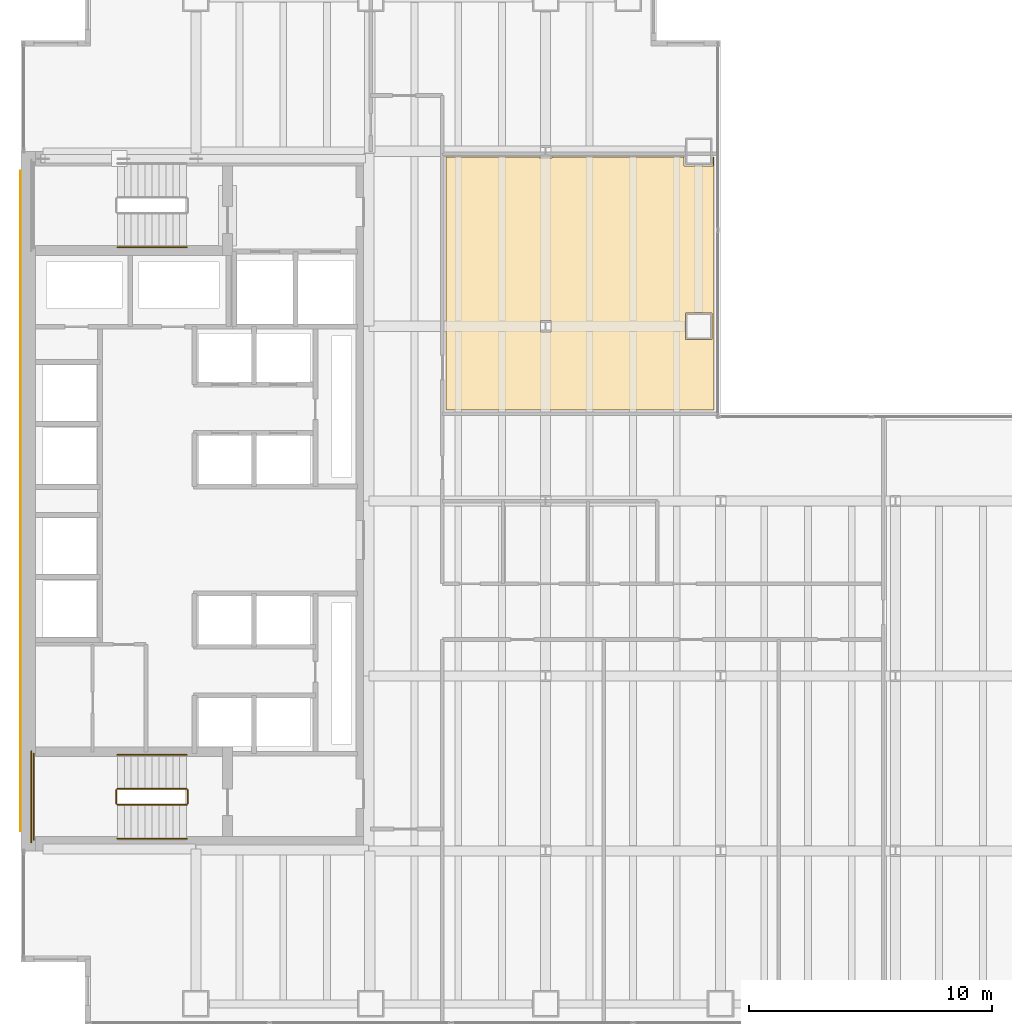
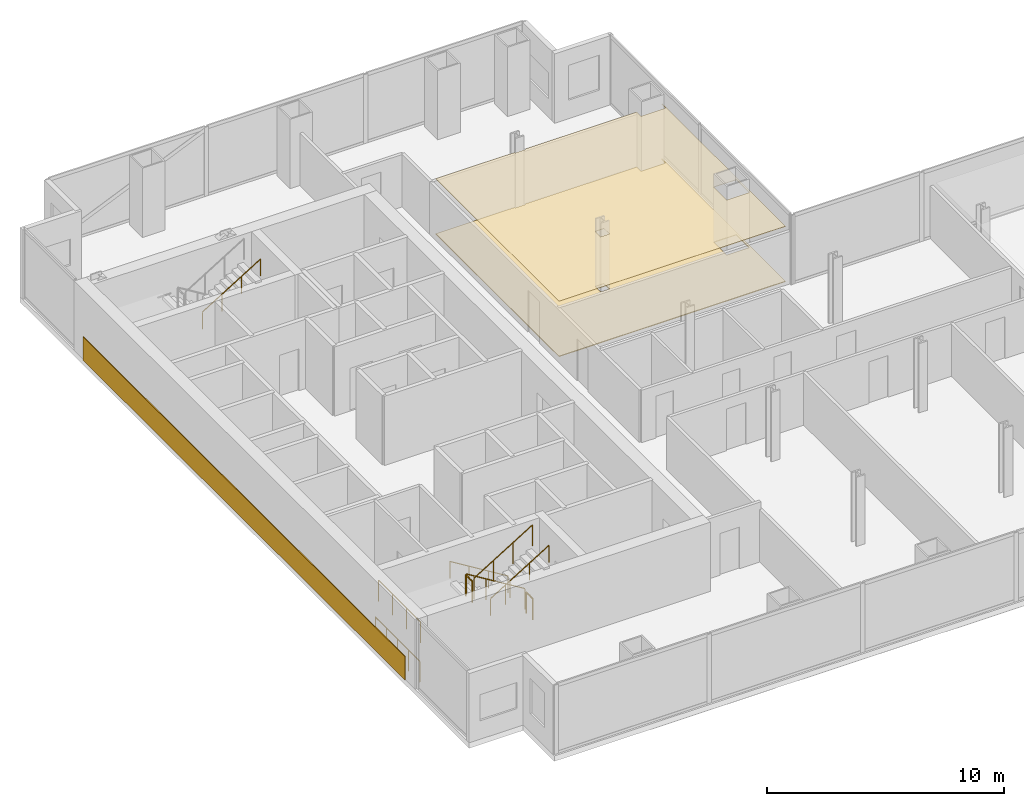
# One storey, part 23 of 25: 9 railings, 3 coverings.
"""IFC4 building model written with IfcOpenShell, lengths in metres."""

from ifc_helpers import new_model, si_unit, direction, frame, origin, origin_2d, place, context, subcontext, project, spatial, polyline, circle, outline, extrude, material, layer, layer_set, type_object, element, save


model = new_model("IFC4")

# Units and contexts
model_context = context("Model", 3, precision=1e-05, world=origin(), true_north=direction((0.0, 1.0)))
body_context = subcontext(model_context, "Body", "Model", "MODEL_VIEW")
ifc_project = project(units=[si_unit("LENGTHUNIT", "METRE"), si_unit("AREAUNIT", "SQUARE_METRE"), si_unit("VOLUMEUNIT", "CUBIC_METRE"), si_unit("PLANEANGLEUNIT", "RADIAN"), si_unit("MASSUNIT", "GRAM", prefix="KILO")], contexts=[model_context])

# Site, building, storey
site_placement = place(None, origin())
site = spatial("IfcSite", under=ifc_project, at=site_placement, CompositionType="ELEMENT")
building_placement = place(site_placement, origin())
building = spatial("IfcBuilding", under=site, at=building_placement, Name="Cobrela Telecom Tower", CompositionType="ELEMENT")
storey_placement = place(building_placement, frame((0.0, 0.0, 42.699951171875)))
storey = spatial("IfcBuildingStorey", under=building, at=storey_placement, Name="L10", CompositionType="ELEMENT", Elevation=42.699951171875)

# Coverings
ifc_material_1 = material(Name="Mineral Fibre Acoustic Ceiling Tile")
ifc_layer_1 = layer(ifc_material_1, 0.02490234375)
ifc_layer_set_1 = layer_set([ifc_layer_1], Name="Mineral Fibre Acoustic Ceiling Tile")
covering_type_1 = type_object("IfcCoveringType", Name="COV-CEIL-ACT", PredefinedType="CEILING", material=ifc_layer_set_1)
covering_1_placement = place(storey_placement, frame((0.0, 0.0, 2.85009765625)))
element("IfcCovering", 1, at=covering_1_placement, inside=storey, type_object=covering_type_1, Name="L10 Carrier Operations Office 3 Suspended Acoustic Ceiling", PredefinedType="CEILING", context=body_context, shape_type="SweptSolid", body=[
    extrude(outline(polyline([(21.339111328125, 35.717529296875), (21.861083984375, 35.717529296875), (21.861083984375, 35.760009765625), (27.300048828125, 35.760009765625), (27.300048828125, 35.39990234375), (28.5, 35.39990234375), (28.5, 35.760009765625), (28.5400390625, 35.760009765625), (28.5400390625, 25.340087890625), (17.489990234375, 25.340087890625), (17.489990234375, 35.760009765625), (21.339111328125, 35.760009765625), (21.339111328125, 35.717529296875)]), holes=[polyline([(21.81103515625, 29.032470703125), (21.388916015625, 29.032470703125), (21.388916015625, 28.5673828125), (21.81103515625, 28.5673828125), (21.81103515625, 29.032470703125)]), polyline([(28.449951171875, 28.25), (28.449951171875, 29.35009765625), (27.35009765625, 29.35009765625), (27.35009765625, 28.25), (28.449951171875, 28.25)])]), origin(), (0.0, 0.0, 1.0), 0.02490234375),
])
ifc_material_2 = material(Name="Bogota Terracotta Architectural Stone", Category="masonry")
ifc_layer_2 = layer(ifc_material_2, 0.0400390625)
ifc_layer_set_2 = layer_set([ifc_layer_2], Name="Bogota Terracotta Architectural Stone")
covering_type_2 = type_object("IfcCoveringType", Name="COV-CLAD-TERRA", PredefinedType="CLADDING", material=ifc_layer_set_2)
covering_2_placement = place(storey_placement, origin())
element("IfcCovering", 2, at=covering_2_placement, inside=storey, type_object=covering_type_2, Name="L10 West Core Terracotta Spandrel Cladding Band", PredefinedType="CLADDING", context=body_context, shape_type="SweptSolid", body=[
    extrude(outline(polyline([(-0.0400390625, 8.0), (0.0, 8.0), (0.0, 35.199951171875), (-0.0400390625, 35.199951171875), (-0.0400390625, 8.0)])), origin(), (0.0, 0.0, 1.0), 1.199951171875),
])
ifc_material_3 = material(Name="Honed Colombian Basalt Stone", Category="masonry")
ifc_layer_3 = layer(ifc_material_3, 0.0400390625)
ifc_layer_set_3 = layer_set([ifc_layer_3], Name="Honed Colombian Basalt Stone")
covering_type_3 = type_object("IfcCoveringType", Name="COV-FLR-STONE", PredefinedType="FLOORING", material=ifc_layer_set_3)
covering_3_placement = place(storey_placement, origin())
element("IfcCovering", 3, at=covering_3_placement, inside=storey, type_object=covering_type_3, Name="L10 Carrier Operations Office 3 Raised Technical Flooring", PredefinedType="FLOORING", context=body_context, shape_type="SweptSolid", body=[
    extrude(outline(polyline([(21.339111328125, 35.717529296875), (21.861083984375, 35.717529296875), (21.861083984375, 35.760009765625), (27.300048828125, 35.760009765625), (27.300048828125, 35.39990234375), (28.5, 35.39990234375), (28.5, 35.760009765625), (28.5400390625, 35.760009765625), (28.5400390625, 25.340087890625), (17.489990234375, 25.340087890625), (17.489990234375, 35.760009765625), (21.339111328125, 35.760009765625), (21.339111328125, 35.717529296875)]), holes=[polyline([(21.81103515625, 29.032470703125), (21.388916015625, 29.032470703125), (21.388916015625, 28.5673828125), (21.81103515625, 28.5673828125), (21.81103515625, 29.032470703125)]), polyline([(28.449951171875, 28.25), (28.449951171875, 29.35009765625), (27.35009765625, 29.35009765625), (27.35009765625, 28.25), (28.449951171875, 28.25)])]), origin(), (0.0, 0.0, 1.0), 0.0400390625),
])

# Railings
ifc_material_4 = material(Name="Steel ASTM A36", Category="steel")
railing_type_1 = type_object("IfcRailingType", Name="RAIL-GUARD-1100", PredefinedType="GUARDRAIL", material=ifc_material_4)
railing_1_placement = place(storey_placement, frame((6.820068359375, 9.75, 0.175048828125)))
element("IfcRailing", 4, at=railing_1_placement, inside=storey, type_object=railing_type_1, Name="L10 ST2 stair guard 1", PredefinedType="GUARDRAIL", context=body_context, shape_type="SweptSolid", body=[
    extrude(circle(Radius=0.02392578125, at=origin_2d()), frame((0.0, 0.0, 1.076171875), z_axis=(-0.852179220489, 0.0, 0.52325001306), x_axis=(0.0, -1.0, 0.0)), (0.0, 0.0, 1.0), 3.344482421875),
    extrude(circle(Radius=0.02099609375, at=origin_2d()), origin(), (0.0, 0.0, 1.0), 1.052001953125),
    extrude(circle(Radius=0.02099609375, at=origin_2d()), frame((-0.949951171875, 0.0, 0.583251953125)), (0.0, 0.0, 1.0), 1.052001953125),
    extrude(circle(Radius=0.02099609375, at=origin_2d()), frame((-1.900146484375, 0.0, 1.166748046875)), (0.0, 0.0, 1.0), 1.052001953125),
    extrude(circle(Radius=0.02099609375, at=origin_2d()), frame((-2.85009765625, 0.0, 1.75)), (0.0, 0.0, 1.0), 1.052001953125),
])
railing_2_placement = place(storey_placement, frame((3.919921875, 9.699951171875, 1.925048828125)))
element("IfcRailing", 5, at=railing_2_placement, inside=storey, type_object=railing_type_1, Name="L10 ST2 stair guard 2", PredefinedType="GUARDRAIL", context=body_context, shape_type="SweptSolid", body=[
    extrude(circle(Radius=0.02392578125, at=origin_2d()), frame((0.0, 0.0, 1.076171875), z_axis=(0.0, -1.0, 0.0), x_axis=(1.0, 0.0, 0.0)), (0.0, 0.0, 1.0), 0.550048828125),
    extrude(circle(Radius=0.02099609375, at=origin_2d()), origin(), (0.0, 0.0, 1.0), 1.052001953125),
    extrude(circle(Radius=0.02099609375, at=origin_2d()), frame((0.0, -0.550048828125, 0.0)), (0.0, 0.0, 1.0), 1.052001953125),
])
railing_3_placement = place(storey_placement, frame((0.530029296875, 11.199951171875, 1.925048828125)))
element("IfcRailing", 6, at=railing_3_placement, inside=storey, type_object=railing_type_1, Name="L10 ST2 stair guard 3", PredefinedType="GUARDRAIL", context=body_context, shape_type="SweptSolid", body=[
    extrude(circle(Radius=0.02392578125, at=origin_2d()), frame((0.0, 0.0, 1.076171875), z_axis=(0.0, -1.0, 0.0), x_axis=(1.0, 0.0, 0.0)), (0.0, 0.0, 1.0), 3.550048828125),
    extrude(circle(Radius=0.02099609375, at=origin_2d()), origin(), (0.0, 0.0, 1.0), 1.052001953125),
    extrude(circle(Radius=0.02099609375, at=origin_2d()), frame((0.0, -1.183349609375, 0.0)), (0.0, 0.0, 1.0), 1.052001953125),
    extrude(circle(Radius=0.02099609375, at=origin_2d()), frame((0.0, -2.36669921875, 0.0)), (0.0, 0.0, 1.0), 1.052001953125),
    extrude(circle(Radius=0.02099609375, at=origin_2d()), frame((0.0, -3.550048828125, 0.0)), (0.0, 0.0, 1.0), 1.052001953125),
])
railing_4_placement = place(storey_placement, frame((3.969970703125, 9.10009765625, 2.10009765625)))
element("IfcRailing", 7, at=railing_4_placement, inside=storey, type_object=railing_type_1, Name="L10 ST2 stair guard 4", PredefinedType="GUARDRAIL", context=body_context, shape_type="SweptSolid", body=[
    extrude(circle(Radius=0.02392578125, at=origin_2d()), frame((0.0, 0.0, 1.076171875), z_axis=(0.852179220489, 0.0, 0.52325001306), x_axis=(0.0, 1.0, 0.0)), (0.0, 0.0, 1.0), 3.344482421875),
    extrude(circle(Radius=0.02099609375, at=origin_2d()), origin(), (0.0, 0.0, 1.0), 1.052001953125),
    extrude(circle(Radius=0.02099609375, at=origin_2d()), frame((0.949951171875, 0.0, 0.583251953125)), (0.0, 0.0, 1.0), 1.052001953125),
    extrude(circle(Radius=0.02099609375, at=origin_2d()), frame((1.900146484375, 0.0, 1.166748046875)), (0.0, 0.0, 1.0), 1.052001953125),
    extrude(circle(Radius=0.02099609375, at=origin_2d()), frame((2.85009765625, 0.0, 1.75)), (0.0, 0.0, 1.0), 1.052001953125),
])
railing_5_placement = place(storey_placement, frame((6.8701171875, 9.699951171875, 0.0)))
element("IfcRailing", 8, at=railing_5_placement, inside=storey, type_object=railing_type_1, Name="L10 ST2 stair guard 5", PredefinedType="GUARDRAIL", context=body_context, shape_type="SweptSolid", body=[
    extrude(circle(Radius=0.02392578125, at=origin_2d()), frame((0.0, 0.0, 1.076171875), z_axis=(0.0, -1.0, 0.0), x_axis=(1.0, 0.0, 0.0)), (0.0, 0.0, 1.0), 0.550048828125),
    extrude(circle(Radius=0.02099609375, at=origin_2d()), origin(), (0.0, 0.0, 1.0), 1.052001953125),
    extrude(circle(Radius=0.02099609375, at=origin_2d()), frame((0.0, -0.550048828125, 0.0)), (0.0, 0.0, 1.0), 1.052001953125),
])
railing_6_placement = place(storey_placement, frame((0.429931640625, 11.300048828125, 0.0)))
element("IfcRailing", 9, at=railing_6_placement, inside=storey, type_object=railing_type_1, Name="L10 ST2 stair guard 6", PredefinedType="GUARDRAIL", context=body_context, shape_type="SweptSolid", body=[
    extrude(circle(Radius=0.02392578125, at=origin_2d()), frame((0.0, 0.0, 1.076171875), z_axis=(0.0, -1.0, 0.0), x_axis=(1.0, 0.0, 0.0)), (0.0, 0.0, 1.0), 3.75),
    extrude(circle(Radius=0.02099609375, at=origin_2d()), origin(), (0.0, 0.0, 1.0), 1.052001953125),
    extrude(circle(Radius=0.02099609375, at=origin_2d()), frame((0.0, -0.9375, 0.0)), (0.0, 0.0, 1.0), 1.052001953125),
    extrude(circle(Radius=0.02099609375, at=origin_2d()), frame((0.0, -1.875, 0.0)), (0.0, 0.0, 1.0), 1.052001953125),
    extrude(circle(Radius=0.02099609375, at=origin_2d()), frame((0.0, -2.8125, 0.0)), (0.0, 0.0, 1.0), 1.052001953125),
    extrude(circle(Radius=0.02099609375, at=origin_2d()), frame((0.0, -3.75, 0.0)), (0.0, 0.0, 1.0), 1.052001953125),
])
railing_type_2 = type_object("IfcRailingType", Name="RAIL-HAND-920", PredefinedType="HANDRAIL", material=ifc_material_4)
railing_7_placement = place(storey_placement, frame((3.969970703125, 32.050048828125, 2.10009765625)))
element("IfcRailing", 10, at=railing_7_placement, inside=storey, type_object=railing_type_2, Name="L10 ST1 stair handrail 2", PredefinedType="HANDRAIL", context=body_context, shape_type="SweptSolid", body=[
    extrude(circle(Radius=0.02392578125, at=origin_2d()), frame((0.0, 0.0, 0.8759765625), z_axis=(0.852179220489, 0.0, 0.52325001306), x_axis=(0.0, 1.0, 0.0)), (0.0, 0.0, 1.0), 3.344482421875),
    extrude(circle(Radius=0.02099609375, at=origin_2d()), origin(), (0.0, 0.0, 1.0), 0.851806640625),
    extrude(circle(Radius=0.02099609375, at=origin_2d()), frame((0.949951171875, 0.0, 0.583251953125)), (0.0, 0.0, 1.0), 0.851806640625),
    extrude(circle(Radius=0.02099609375, at=origin_2d()), frame((1.900146484375, 0.0, 1.166748046875)), (0.0, 0.0, 1.0), 0.851806640625),
    extrude(circle(Radius=0.02099609375, at=origin_2d()), frame((2.85009765625, 0.0, 1.75)), (0.0, 0.0, 1.0), 0.851806640625),
])
railing_8_placement = place(storey_placement, frame((6.820068359375, 11.14990234375, 0.175048828125)))
element("IfcRailing", 11, at=railing_8_placement, inside=storey, type_object=railing_type_2, Name="L10 ST2 stair handrail 1", PredefinedType="HANDRAIL", context=body_context, shape_type="SweptSolid", body=[
    extrude(circle(Radius=0.02392578125, at=origin_2d()), frame((0.0, 0.0, 0.8759765625), z_axis=(-0.852179220489, 0.0, 0.52325001306), x_axis=(0.0, -1.0, 0.0)), (0.0, 0.0, 1.0), 3.344482421875),
    extrude(circle(Radius=0.02099609375, at=origin_2d()), origin(), (0.0, 0.0, 1.0), 0.851806640625),
    extrude(circle(Radius=0.02099609375, at=origin_2d()), frame((-0.949951171875, 0.0, 0.583251953125)), (0.0, 0.0, 1.0), 0.851806640625),
    extrude(circle(Radius=0.02099609375, at=origin_2d()), frame((-1.900146484375, 0.0, 1.166748046875)), (0.0, 0.0, 1.0), 0.851806640625),
    extrude(circle(Radius=0.02099609375, at=origin_2d()), frame((-2.85009765625, 0.0, 1.75)), (0.0, 0.0, 1.0), 0.851806640625),
])
railing_9_placement = place(storey_placement, frame((3.969970703125, 7.699951171875, 2.10009765625)))
element("IfcRailing", 12, at=railing_9_placement, inside=storey, type_object=railing_type_2, Name="L10 ST2 stair handrail 2", PredefinedType="HANDRAIL", context=body_context, shape_type="SweptSolid", body=[
    extrude(circle(Radius=0.02392578125, at=origin_2d()), frame((0.0, 0.0, 0.8759765625), z_axis=(0.852179220489, 0.0, 0.52325001306), x_axis=(0.0, 1.0, 0.0)), (0.0, 0.0, 1.0), 3.344482421875),
    extrude(circle(Radius=0.02099609375, at=origin_2d()), origin(), (0.0, 0.0, 1.0), 0.851806640625),
    extrude(circle(Radius=0.02099609375, at=origin_2d()), frame((0.949951171875, 0.0, 0.583251953125)), (0.0, 0.0, 1.0), 0.851806640625),
    extrude(circle(Radius=0.02099609375, at=origin_2d()), frame((1.900146484375, 0.0, 1.166748046875)), (0.0, 0.0, 1.0), 0.851806640625),
    extrude(circle(Radius=0.02099609375, at=origin_2d()), frame((2.85009765625, 0.0, 1.75)), (0.0, 0.0, 1.0), 0.851806640625),
])

save(model, "model.ifc")
